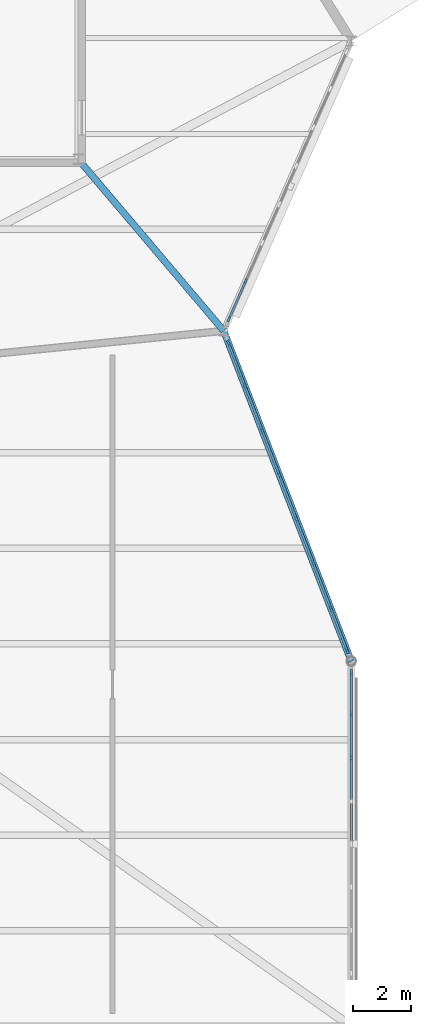
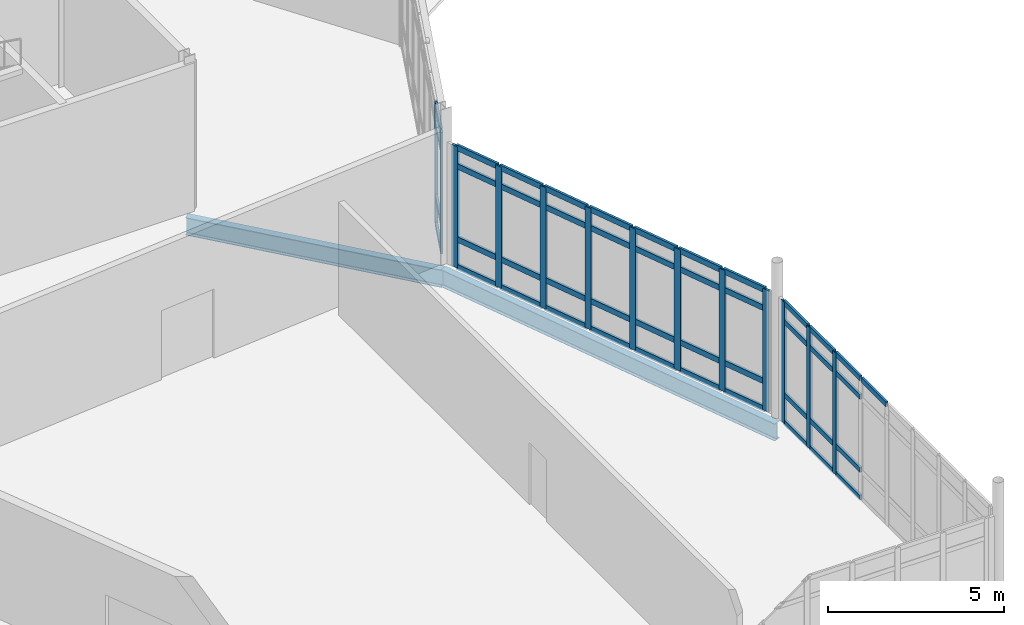
# One storey, part 57 of 113: 58 members, 2 beams, 3 elements without a shape of their own.
"""IFC4 building model written with IfcOpenShell, lengths in metres."""

from ifc_helpers import new_model, si_unit, direction, frame, origin, origin_2d, place, context, subcontext, project, spatial, rectangle, i_section, extrude, material, material_profile, profile_set, type_object, element, aggregate, save


model = new_model("IFC4")

# Units and contexts
model_context = context("Model", 3, precision=1e-05, world=origin(), true_north=direction((0.0, 1.0)))
body_context = subcontext(model_context, "Body", "Model", "MODEL_VIEW")
ifc_project = project(units=[si_unit("LENGTHUNIT", "METRE"), si_unit("AREAUNIT", "SQUARE_METRE"), si_unit("VOLUMEUNIT", "CUBIC_METRE"), si_unit("PLANEANGLEUNIT", "RADIAN"), si_unit("MASSUNIT", "GRAM", prefix="KILO")], contexts=[model_context])

# Site, building, storey
site_placement = place(None, origin())
site = spatial("IfcSite", under=ifc_project, at=site_placement, CompositionType="ELEMENT")
building_placement = place(site_placement, origin())
building = spatial("IfcBuilding", under=site, at=building_placement, Name="Tameran Prism Museum", CompositionType="ELEMENT")
storey_placement = place(building_placement, origin())
storey = spatial("IfcBuildingStorey", under=building, at=storey_placement, Name="L00", CompositionType="ELEMENT", Elevation=0.0)

# Beams
ifc_material_1 = material(Name="Steel Grade 300PLUS (300 MPa)", Category="steel")
ifc_material_profile_1 = material_profile(ifc_material_1, i_section(OverallWidth=0.22802734375, OverallDepth=0.60205078125, WebThickness=0.010498046875, FlangeThickness=0.014892578125, FilletRadius=0.013916015625, at=origin_2d()))
ifc_profile_set_1 = profile_set([ifc_material_profile_1])
beam_type_1 = type_object("IfcBeamType", Name="BM-SP610", PredefinedType="SPANDREL", material=ifc_profile_set_1)
beam_1_placement = place(storey_placement, frame((166.39990234375, 12.60009765625, -0.541015625), z_axis=(-0.360071323039, 0.932924778492, 0.0), x_axis=(-0.932924778492, -0.360071323039, 0.0)))
element("IfcBeam", 1, at=beam_1_placement, inside=storey, type_object=beam_type_1, Name="Perimeter Spandrel SP-0052", PredefinedType="SPANDREL", context=body_context, shape_type="SweptSolid", body=[
    extrude(i_section(OverallWidth=0.22802734375, OverallDepth=0.60205078125, WebThickness=0.010498046875, FlangeThickness=0.014892578125, FilletRadius=0.013916015625, at=origin_2d()), origin(), (0.0, 0.0, 1.0), 12.219482421875),
])
ifc_material_2 = material(Name="Steel Grade 300PLUS (300 MPa)", Category="steel")
ifc_material_profile_2 = material_profile(ifc_material_2, i_section(OverallWidth=0.22900390625, OverallDepth=0.612060546875, WebThickness=0.011962890625, FlangeThickness=0.01953125, FilletRadius=0.013916015625, at=origin_2d()))
ifc_profile_set_2 = profile_set([ifc_material_profile_2])
beam_type_2 = type_object("IfcBeamType", Name="BM-UB610A", PredefinedType="BEAM", material=ifc_profile_set_2)
beam_2_placement = place(storey_placement, frame((156.97998046875, 29.919921875, -0.56005859375), z_axis=(0.64675685698, -0.762696248811, 0.0), x_axis=(0.762696248811, 0.64675685698, 0.0)))
element("IfcBeam", 2, at=beam_2_placement, inside=storey, type_object=beam_type_2, Name="Frame Tie Girder FG-1433", PredefinedType="BEAM", context=body_context, shape_type="SweptSolid", body=[
    extrude(i_section(OverallWidth=0.22900390625, OverallDepth=0.612060546875, WebThickness=0.011962890625, FlangeThickness=0.01953125, FilletRadius=0.013916015625, at=origin_2d()), origin(), (0.0, 0.0, 1.0), 7.76171875),
])

# Curtain wall, members
ifc_material_3 = material(Name="Anodised Aluminium 6063-T6 and Cyclone Solar Glass", Category="aluminium")
curtain_wall_type_1 = type_object("IfcCurtainWallType", Name="CW-FAC-1190x422", PredefinedType="USERDEFINED", material=ifc_material_3)
curtain_wall_1_placement = place(storey_placement, origin())
curtain_wall_1 = element("IfcCurtainWall", 3, at=curtain_wall_1_placement, inside=storey, type_object=curtain_wall_type_1, Name="Unitised Curtain Wall CW-041", ObjectType="UNITISED CURTAIN WALL", PredefinedType="USERDEFINED")
ifc_material_4 = material(Name="Anodised Aluminium Alloy 6063-T6", Category="aluminium")
ifc_material_profile_3 = material_profile(ifc_material_4, rectangle(XDim=0.074951171875, YDim=0.199951171875, at=origin_2d()))
ifc_profile_set_3 = profile_set([ifc_material_profile_3])
member_type_1 = type_object("IfcMemberType", Name="CW-MUL-C", PredefinedType="MULLION", material=ifc_profile_set_3)
member_1_placement = place(storey_placement, frame((166.39990234375, 12.21240234375, 0.0), z_axis=(0.0, 0.0, 1.0), x_axis=(1.0, 0.0, 0.0)))
member_1 = element("IfcMember", 4, at=member_1_placement, type_object=member_type_1, Name="CW-041 mullion 1", PredefinedType="MULLION", context=body_context, shape_type="SweptSolid", body=[
    extrude(rectangle(XDim=0.074951171875, YDim=0.199951171875, at=origin_2d()), origin(), (0.0, 0.0, 1.0), 4.219970703125),
])
member_2_placement = place(storey_placement, frame((166.39990234375, 10.762451171875, 0.0), z_axis=(0.0, 0.0, 1.0), x_axis=(1.0, 0.0, 0.0)))
member_2 = element("IfcMember", 5, at=member_2_placement, type_object=member_type_1, Name="CW-041 mullion 2", PredefinedType="MULLION", context=body_context, shape_type="SweptSolid", body=[
    extrude(rectangle(XDim=0.074951171875, YDim=0.199951171875, at=origin_2d()), origin(), (0.0, 0.0, 1.0), 4.219970703125),
])
member_3_placement = place(storey_placement, frame((166.39990234375, 9.27490234375, 0.0), z_axis=(0.0, 0.0, 1.0), x_axis=(1.0, 0.0, 0.0)))
member_3 = element("IfcMember", 6, at=member_3_placement, type_object=member_type_1, Name="CW-041 mullion 3", PredefinedType="MULLION", context=body_context, shape_type="SweptSolid", body=[
    extrude(rectangle(XDim=0.074951171875, YDim=0.199951171875, at=origin_2d()), origin(), (0.0, 0.0, 1.0), 4.219970703125),
])

ifc_material_5 = material(Name="Anodised Aluminium 6063-T6 and Cyclone Solar Glass", Category="aluminium")
curtain_wall_type_2 = type_object("IfcCurtainWallType", Name="CW-FAC-1016x422", PredefinedType="USERDEFINED", material=ifc_material_5)
curtain_wall_2_placement = place(storey_placement, origin())
curtain_wall_2 = element("IfcCurtainWall", 7, at=curtain_wall_2_placement, inside=storey, type_object=curtain_wall_type_2, Name="Unitised Curtain Wall CW-053", ObjectType="UNITISED CURTAIN WALL", PredefinedType="USERDEFINED")
member_4_placement = place(storey_placement, frame((162.749755859375, 25.704345703125, 0.0), z_axis=(0.0, 0.0, 1.0), x_axis=(0.915322284668, -0.402722131488, 0.0)))
member_4 = element("IfcMember", 8, at=member_4_placement, type_object=member_type_1, Name="CW-053 mullion 7", PredefinedType="MULLION", context=body_context, shape_type="SweptSolid", body=[
    extrude(rectangle(XDim=0.074951171875, YDim=0.199951171875, at=origin_2d()), origin(), (0.0, 0.0, 1.0), 4.219970703125),
])
member_5_placement = place(storey_placement, frame((162.18017578125, 24.409423828125, 0.0), z_axis=(0.0, 0.0, 1.0), x_axis=(0.915322284668, -0.402722131488, 0.0)))
member_5 = element("IfcMember", 9, at=member_5_placement, type_object=member_type_1, Name="CW-053 mullion 8", PredefinedType="MULLION", context=body_context, shape_type="SweptSolid", body=[
    extrude(rectangle(XDim=0.074951171875, YDim=0.199951171875, at=origin_2d()), origin(), (0.0, 0.0, 1.0), 4.219970703125),
])

ifc_material_6 = material(Name="Anodised Aluminium 6063-T6 and Cyclone Solar Glass", Category="aluminium")
curtain_wall_type_3 = type_object("IfcCurtainWallType", Name="CW-FAC-1146x422", PredefinedType="USERDEFINED", material=ifc_material_6)
curtain_wall_3_placement = place(storey_placement, origin())
curtain_wall_3 = element("IfcCurtainWall", 10, at=curtain_wall_3_placement, inside=storey, type_object=curtain_wall_type_3, Name="Unitised Curtain Wall CW-042", ObjectType="UNITISED CURTAIN WALL", PredefinedType="USERDEFINED")
ifc_material_7 = material(Name="Anodised Aluminium Alloy 6063-T6", Category="aluminium")
ifc_material_profile_4 = material_profile(ifc_material_7, rectangle(XDim=0.080078125, YDim=0.219970703125, at=origin_2d()))
ifc_profile_set_4 = profile_set([ifc_material_profile_4])
member_type_2 = type_object("IfcMemberType", Name="CW-MUL-D", PredefinedType="MULLION", material=ifc_profile_set_4)
member_6_placement = place(storey_placement, frame((162.162353515625, 23.57958984375, 0.0), z_axis=(0.0, 0.0, 1.0), x_axis=(0.932922101403, 0.360078259151, 0.0)))
member_6 = element("IfcMember", 11, at=member_6_placement, type_object=member_type_2, Name="CW-042 mullion 1", PredefinedType="MULLION", context=body_context, shape_type="SweptSolid", body=[
    extrude(rectangle(XDim=0.080078125, YDim=0.219970703125, at=origin_2d()), origin(), (0.0, 0.0, 1.0), 4.219970703125),
])
member_7_placement = place(storey_placement, frame((162.737548828125, 22.08984375, 0.0), z_axis=(0.0, 0.0, 1.0), x_axis=(0.932922101403, 0.360078259151, 0.0)))
member_7 = element("IfcMember", 12, at=member_7_placement, type_object=member_type_2, Name="CW-042 mullion 2", PredefinedType="MULLION", context=body_context, shape_type="SweptSolid", body=[
    extrude(rectangle(XDim=0.080078125, YDim=0.219970703125, at=origin_2d()), origin(), (0.0, 0.0, 1.0), 4.219970703125),
])
member_8_placement = place(storey_placement, frame((163.326904296875, 20.562744140625, 0.0), z_axis=(0.0, 0.0, 1.0), x_axis=(0.932922101403, 0.360078259151, 0.0)))
member_8 = element("IfcMember", 13, at=member_8_placement, type_object=member_type_2, Name="CW-042 mullion 3", PredefinedType="MULLION", context=body_context, shape_type="SweptSolid", body=[
    extrude(rectangle(XDim=0.080078125, YDim=0.219970703125, at=origin_2d()), origin(), (0.0, 0.0, 1.0), 4.219970703125),
])
member_9_placement = place(storey_placement, frame((163.916259765625, 19.03564453125, 0.0), z_axis=(0.0, 0.0, 1.0), x_axis=(0.932922101403, 0.360078259151, 0.0)))
member_9 = element("IfcMember", 14, at=member_9_placement, type_object=member_type_2, Name="CW-042 mullion 4", PredefinedType="MULLION", context=body_context, shape_type="SweptSolid", body=[
    extrude(rectangle(XDim=0.080078125, YDim=0.219970703125, at=origin_2d()), origin(), (0.0, 0.0, 1.0), 4.219970703125),
])
member_10_placement = place(storey_placement, frame((164.505615234375, 17.508544921875, 0.0), z_axis=(0.0, 0.0, 1.0), x_axis=(0.932922101403, 0.360078259151, 0.0)))
member_10 = element("IfcMember", 15, at=member_10_placement, type_object=member_type_2, Name="CW-042 mullion 5", PredefinedType="MULLION", context=body_context, shape_type="SweptSolid", body=[
    extrude(rectangle(XDim=0.080078125, YDim=0.219970703125, at=origin_2d()), origin(), (0.0, 0.0, 1.0), 4.219970703125),
])
member_11_placement = place(storey_placement, frame((165.09521484375, 15.981201171875, 0.0), z_axis=(0.0, 0.0, 1.0), x_axis=(0.932922101403, 0.360078259151, 0.0)))
member_11 = element("IfcMember", 16, at=member_11_placement, type_object=member_type_2, Name="CW-042 mullion 6", PredefinedType="MULLION", context=body_context, shape_type="SweptSolid", body=[
    extrude(rectangle(XDim=0.080078125, YDim=0.219970703125, at=origin_2d()), origin(), (0.0, 0.0, 1.0), 4.219970703125),
])
member_12_placement = place(storey_placement, frame((165.6845703125, 14.4541015625, 0.0), z_axis=(0.0, 0.0, 1.0), x_axis=(0.932922101403, 0.360078259151, 0.0)))
member_12 = element("IfcMember", 17, at=member_12_placement, type_object=member_type_2, Name="CW-042 mullion 7", PredefinedType="MULLION", context=body_context, shape_type="SweptSolid", body=[
    extrude(rectangle(XDim=0.080078125, YDim=0.219970703125, at=origin_2d()), origin(), (0.0, 0.0, 1.0), 4.219970703125),
])
member_13_placement = place(storey_placement, frame((166.259521484375, 12.96435546875, 0.0), z_axis=(0.0, 0.0, 1.0), x_axis=(0.932922101403, 0.360078259151, 0.0)))
member_13 = element("IfcMember", 18, at=member_13_placement, type_object=member_type_2, Name="CW-042 mullion 8", PredefinedType="MULLION", context=body_context, shape_type="SweptSolid", body=[
    extrude(rectangle(XDim=0.080078125, YDim=0.219970703125, at=origin_2d()), origin(), (0.0, 0.0, 1.0), 4.219970703125),
])

# Member
ifc_material_8 = material(Name="Anodised Aluminium Alloy 6063-T6", Category="aluminium")
ifc_material_profile_5 = material_profile(ifc_material_8, rectangle(XDim=0.074951171875, YDim=0.175048828125, at=origin_2d()))
ifc_profile_set_5 = profile_set([ifc_material_profile_5])
member_type_3 = type_object("IfcMemberType", Name="CW-TRN-C", PredefinedType="USERDEFINED", material=ifc_profile_set_5)
member_14_placement = place(storey_placement, frame((166.39990234375, 12.175048828125, 0.03759765625), z_axis=(0.0, -1.0, 0.0), x_axis=(1.0, 0.0, 0.0)))
member_14 = element("IfcMember", 19, at=member_14_placement, type_object=member_type_3, Name="CW-041 transom 1.1", ObjectType="TRANSOM", PredefinedType="USERDEFINED", context=body_context, shape_type="SweptSolid", body=[
    extrude(rectangle(XDim=0.074951171875, YDim=0.175048828125, at=origin_2d()), origin(), (0.0, 0.0, 1.0), 1.375),
])

member_15_placement = place(storey_placement, frame((166.39990234375, 12.175048828125, 1.0), z_axis=(0.0, -1.0, 0.0), x_axis=(1.0, 0.0, 0.0)))
member_15 = element("IfcMember", 20, at=member_15_placement, type_object=member_type_3, Name="CW-041 transom 1.2", ObjectType="TRANSOM", PredefinedType="USERDEFINED", context=body_context, shape_type="SweptSolid", body=[
    extrude(rectangle(XDim=0.074951171875, YDim=0.175048828125, at=origin_2d()), origin(), (0.0, 0.0, 1.0), 1.375),
])

member_16_placement = place(storey_placement, frame((166.39990234375, 12.175048828125, 3.5400390625), z_axis=(0.0, -1.0, 0.0), x_axis=(1.0, 0.0, 0.0)))
member_16 = element("IfcMember", 21, at=member_16_placement, type_object=member_type_3, Name="CW-041 transom 1.3", ObjectType="TRANSOM", PredefinedType="USERDEFINED", context=body_context, shape_type="SweptSolid", body=[
    extrude(rectangle(XDim=0.074951171875, YDim=0.175048828125, at=origin_2d()), origin(), (0.0, 0.0, 1.0), 1.375),
])

member_17_placement = place(storey_placement, frame((166.39990234375, 12.175048828125, 4.1826171875), z_axis=(0.0, -1.0, 0.0), x_axis=(1.0, 0.0, 0.0)))
member_17 = element("IfcMember", 22, at=member_17_placement, type_object=member_type_3, Name="CW-041 transom 1.4", ObjectType="TRANSOM", PredefinedType="USERDEFINED", context=body_context, shape_type="SweptSolid", body=[
    extrude(rectangle(XDim=0.074951171875, YDim=0.175048828125, at=origin_2d()), origin(), (0.0, 0.0, 1.0), 1.375),
])

member_18_placement = place(storey_placement, frame((166.39990234375, 10.72509765625, 0.03759765625), z_axis=(0.0, -1.0, 0.0), x_axis=(1.0, 0.0, 0.0)))
member_18 = element("IfcMember", 23, at=member_18_placement, type_object=member_type_3, Name="CW-041 transom 2.1", ObjectType="TRANSOM", PredefinedType="USERDEFINED", context=body_context, shape_type="SweptSolid", body=[
    extrude(rectangle(XDim=0.074951171875, YDim=0.175048828125, at=origin_2d()), origin(), (0.0, 0.0, 1.0), 1.41259765625),
])

member_19_placement = place(storey_placement, frame((166.39990234375, 10.72509765625, 1.0), z_axis=(0.0, -1.0, 0.0), x_axis=(1.0, 0.0, 0.0)))
member_19 = element("IfcMember", 24, at=member_19_placement, type_object=member_type_3, Name="CW-041 transom 2.2", ObjectType="TRANSOM", PredefinedType="USERDEFINED", context=body_context, shape_type="SweptSolid", body=[
    extrude(rectangle(XDim=0.074951171875, YDim=0.175048828125, at=origin_2d()), origin(), (0.0, 0.0, 1.0), 1.41259765625),
])

member_20_placement = place(storey_placement, frame((166.39990234375, 10.72509765625, 3.5400390625), z_axis=(0.0, -1.0, 0.0), x_axis=(1.0, 0.0, 0.0)))
member_20 = element("IfcMember", 25, at=member_20_placement, type_object=member_type_3, Name="CW-041 transom 2.3", ObjectType="TRANSOM", PredefinedType="USERDEFINED", context=body_context, shape_type="SweptSolid", body=[
    extrude(rectangle(XDim=0.074951171875, YDim=0.175048828125, at=origin_2d()), origin(), (0.0, 0.0, 1.0), 1.41259765625),
])

member_21_placement = place(storey_placement, frame((166.39990234375, 10.72509765625, 4.1826171875), z_axis=(0.0, -1.0, 0.0), x_axis=(1.0, 0.0, 0.0)))
member_21 = element("IfcMember", 26, at=member_21_placement, type_object=member_type_3, Name="CW-041 transom 2.4", ObjectType="TRANSOM", PredefinedType="USERDEFINED", context=body_context, shape_type="SweptSolid", body=[
    extrude(rectangle(XDim=0.074951171875, YDim=0.175048828125, at=origin_2d()), origin(), (0.0, 0.0, 1.0), 1.41259765625),
])

member_22_placement = place(storey_placement, frame((166.39990234375, 9.237548828125, 0.03759765625), z_axis=(0.0, -1.0, 0.0), x_axis=(1.0, 0.0, 0.0)))
member_22 = element("IfcMember", 27, at=member_22_placement, type_object=member_type_3, Name="CW-041 transom 3.1", ObjectType="TRANSOM", PredefinedType="USERDEFINED", context=body_context, shape_type="SweptSolid", body=[
    extrude(rectangle(XDim=0.074951171875, YDim=0.175048828125, at=origin_2d()), origin(), (0.0, 0.0, 1.0), 1.41259765625),
])

member_23_placement = place(storey_placement, frame((166.39990234375, 9.237548828125, 1.0), z_axis=(0.0, -1.0, 0.0), x_axis=(1.0, 0.0, 0.0)))
member_23 = element("IfcMember", 28, at=member_23_placement, type_object=member_type_3, Name="CW-041 transom 3.2", ObjectType="TRANSOM", PredefinedType="USERDEFINED", context=body_context, shape_type="SweptSolid", body=[
    extrude(rectangle(XDim=0.074951171875, YDim=0.175048828125, at=origin_2d()), origin(), (0.0, 0.0, 1.0), 1.41259765625),
])

member_24_placement = place(storey_placement, frame((166.39990234375, 9.237548828125, 3.5400390625), z_axis=(0.0, -1.0, 0.0), x_axis=(1.0, 0.0, 0.0)))
member_24 = element("IfcMember", 29, at=member_24_placement, type_object=member_type_3, Name="CW-041 transom 3.3", ObjectType="TRANSOM", PredefinedType="USERDEFINED", context=body_context, shape_type="SweptSolid", body=[
    extrude(rectangle(XDim=0.074951171875, YDim=0.175048828125, at=origin_2d()), origin(), (0.0, 0.0, 1.0), 1.41259765625),
])

member_25_placement = place(storey_placement, frame((166.39990234375, 9.237548828125, 4.1826171875), z_axis=(0.0, -1.0, 0.0), x_axis=(1.0, 0.0, 0.0)))
member_25 = element("IfcMember", 30, at=member_25_placement, type_object=member_type_3, Name="CW-041 transom 3.4", ObjectType="TRANSOM", PredefinedType="USERDEFINED", context=body_context, shape_type="SweptSolid", body=[
    extrude(rectangle(XDim=0.074951171875, YDim=0.175048828125, at=origin_2d()), origin(), (0.0, 0.0, 1.0), 1.41259765625),
])

member_26_placement = place(storey_placement, frame((166.39990234375, 7.75, 4.1826171875), z_axis=(0.0, -1.0, 0.0), x_axis=(1.0, 0.0, 0.0)))
member_26 = element("IfcMember", 31, at=member_26_placement, type_object=member_type_3, Name="CW-041 transom 4.4", ObjectType="TRANSOM", PredefinedType="USERDEFINED", context=body_context, shape_type="SweptSolid", body=[
    extrude(rectangle(XDim=0.074951171875, YDim=0.175048828125, at=origin_2d()), origin(), (0.0, 0.0, 1.0), 1.41259765625),
])

aggregate(curtain_wall_1, [member_1, member_2, member_3, member_14, member_15, member_16, member_17, member_18, member_19, member_20, member_21, member_22, member_23, member_24, member_25, member_26])

member_27_placement = place(storey_placement, frame((162.73486328125, 25.669921875, 0.03759765625), z_axis=(-0.402720293839, -0.915323093192, 0.0), x_axis=(0.915323093192, -0.402720293839, 0.0)))
member_27 = element("IfcMember", 32, at=member_27_placement, type_object=member_type_3, Name="CW-053 transom 7.1", ObjectType="TRANSOM", PredefinedType="USERDEFINED", context=body_context, shape_type="SweptSolid", body=[
    extrude(rectangle(XDim=0.074951171875, YDim=0.175048828125, at=origin_2d()), origin(), (0.0, 0.0, 1.0), 1.33984375),
])

member_28_placement = place(storey_placement, frame((162.73486328125, 25.669921875, 1.0), z_axis=(-0.402720293839, -0.915323093192, 0.0), x_axis=(0.915323093192, -0.402720293839, 0.0)))
member_28 = element("IfcMember", 33, at=member_28_placement, type_object=member_type_3, Name="CW-053 transom 7.2", ObjectType="TRANSOM", PredefinedType="USERDEFINED", context=body_context, shape_type="SweptSolid", body=[
    extrude(rectangle(XDim=0.074951171875, YDim=0.175048828125, at=origin_2d()), origin(), (0.0, 0.0, 1.0), 1.33984375),
])

member_29_placement = place(storey_placement, frame((162.73486328125, 25.669921875, 3.5400390625), z_axis=(-0.402720293839, -0.915323093192, 0.0), x_axis=(0.915323093192, -0.402720293839, 0.0)))
member_29 = element("IfcMember", 34, at=member_29_placement, type_object=member_type_3, Name="CW-053 transom 7.3", ObjectType="TRANSOM", PredefinedType="USERDEFINED", context=body_context, shape_type="SweptSolid", body=[
    extrude(rectangle(XDim=0.074951171875, YDim=0.175048828125, at=origin_2d()), origin(), (0.0, 0.0, 1.0), 1.33984375),
])

member_30_placement = place(storey_placement, frame((162.73486328125, 25.669921875, 4.1826171875), z_axis=(-0.402720293839, -0.915323093192, 0.0), x_axis=(0.915323093192, -0.402720293839, 0.0)))
member_30 = element("IfcMember", 35, at=member_30_placement, type_object=member_type_3, Name="CW-053 transom 7.4", ObjectType="TRANSOM", PredefinedType="USERDEFINED", context=body_context, shape_type="SweptSolid", body=[
    extrude(rectangle(XDim=0.074951171875, YDim=0.175048828125, at=origin_2d()), origin(), (0.0, 0.0, 1.0), 1.33984375),
])

aggregate(curtain_wall_2, [member_4, member_5, member_27, member_28, member_29, member_30])

ifc_material_9 = material(Name="Anodised Aluminium Alloy 6063-T6", Category="aluminium")
ifc_material_profile_6 = material_profile(ifc_material_9, rectangle(XDim=0.080078125, YDim=0.195068359375, at=origin_2d()))
ifc_profile_set_6 = profile_set([ifc_material_profile_6])
member_type_4 = type_object("IfcMemberType", Name="CW-TRN-D", PredefinedType="USERDEFINED", material=ifc_profile_set_6)
member_31_placement = place(storey_placement, frame((162.1767578125, 23.54248046875, 0.0400390625), z_axis=(0.36015422404, -0.932892777819, 0.0), x_axis=(0.932892777819, 0.36015422404, 0.0)))
member_31 = element("IfcMember", 36, at=member_31_placement, type_object=member_type_4, Name="CW-042 transom 1.1", ObjectType="TRANSOM", PredefinedType="USERDEFINED", context=body_context, shape_type="SweptSolid", body=[
    extrude(rectangle(XDim=0.080078125, YDim=0.195068359375, at=origin_2d()), origin(), (0.0, 0.0, 1.0), 1.51708984375),
])

member_32_placement = place(storey_placement, frame((162.1767578125, 23.54248046875, 1.0), z_axis=(0.36015422404, -0.932892777819, 0.0), x_axis=(0.932892777819, 0.36015422404, 0.0)))
member_32 = element("IfcMember", 37, at=member_32_placement, type_object=member_type_4, Name="CW-042 transom 1.2", ObjectType="TRANSOM", PredefinedType="USERDEFINED", context=body_context, shape_type="SweptSolid", body=[
    extrude(rectangle(XDim=0.080078125, YDim=0.195068359375, at=origin_2d()), origin(), (0.0, 0.0, 1.0), 1.51708984375),
])

member_33_placement = place(storey_placement, frame((162.1767578125, 23.54248046875, 3.5400390625), z_axis=(0.36015422404, -0.932892777819, 0.0), x_axis=(0.932892777819, 0.36015422404, 0.0)))
member_33 = element("IfcMember", 38, at=member_33_placement, type_object=member_type_4, Name="CW-042 transom 1.3", ObjectType="TRANSOM", PredefinedType="USERDEFINED", context=body_context, shape_type="SweptSolid", body=[
    extrude(rectangle(XDim=0.080078125, YDim=0.195068359375, at=origin_2d()), origin(), (0.0, 0.0, 1.0), 1.51708984375),
])

member_34_placement = place(storey_placement, frame((162.1767578125, 23.54248046875, 4.179931640625), z_axis=(0.36015422404, -0.932892777819, 0.0), x_axis=(0.932892777819, 0.36015422404, 0.0)))
member_34 = element("IfcMember", 39, at=member_34_placement, type_object=member_type_4, Name="CW-042 transom 1.4", ObjectType="TRANSOM", PredefinedType="USERDEFINED", context=body_context, shape_type="SweptSolid", body=[
    extrude(rectangle(XDim=0.080078125, YDim=0.195068359375, at=origin_2d()), origin(), (0.0, 0.0, 1.0), 1.51708984375),
])

member_35_placement = place(storey_placement, frame((162.751953125, 22.052490234375, 0.0400390625), z_axis=(0.360061226794, -0.932928675173, 0.0), x_axis=(0.932928675173, 0.360061226794, 0.0)))
member_35 = element("IfcMember", 40, at=member_35_placement, type_object=member_type_4, Name="CW-042 transom 2.1", ObjectType="TRANSOM", PredefinedType="USERDEFINED", context=body_context, shape_type="SweptSolid", body=[
    extrude(rectangle(XDim=0.080078125, YDim=0.195068359375, at=origin_2d()), origin(), (0.0, 0.0, 1.0), 1.556884765625),
])

member_36_placement = place(storey_placement, frame((162.751953125, 22.052490234375, 1.0), z_axis=(0.360061226794, -0.932928675173, 0.0), x_axis=(0.932928675173, 0.360061226794, 0.0)))
member_36 = element("IfcMember", 41, at=member_36_placement, type_object=member_type_4, Name="CW-042 transom 2.2", ObjectType="TRANSOM", PredefinedType="USERDEFINED", context=body_context, shape_type="SweptSolid", body=[
    extrude(rectangle(XDim=0.080078125, YDim=0.195068359375, at=origin_2d()), origin(), (0.0, 0.0, 1.0), 1.556884765625),
])

member_37_placement = place(storey_placement, frame((162.751953125, 22.052490234375, 3.5400390625), z_axis=(0.360061226794, -0.932928675173, 0.0), x_axis=(0.932928675173, 0.360061226794, 0.0)))
member_37 = element("IfcMember", 42, at=member_37_placement, type_object=member_type_4, Name="CW-042 transom 2.3", ObjectType="TRANSOM", PredefinedType="USERDEFINED", context=body_context, shape_type="SweptSolid", body=[
    extrude(rectangle(XDim=0.080078125, YDim=0.195068359375, at=origin_2d()), origin(), (0.0, 0.0, 1.0), 1.556884765625),
])

member_38_placement = place(storey_placement, frame((162.751953125, 22.052490234375, 4.179931640625), z_axis=(0.360061226794, -0.932928675173, 0.0), x_axis=(0.932928675173, 0.360061226794, 0.0)))
member_38 = element("IfcMember", 43, at=member_38_placement, type_object=member_type_4, Name="CW-042 transom 2.4", ObjectType="TRANSOM", PredefinedType="USERDEFINED", context=body_context, shape_type="SweptSolid", body=[
    extrude(rectangle(XDim=0.080078125, YDim=0.195068359375, at=origin_2d()), origin(), (0.0, 0.0, 1.0), 1.556884765625),
])

member_39_placement = place(storey_placement, frame((163.34130859375, 20.525390625, 0.0400390625), z_axis=(0.360061226794, -0.932928675173, 0.0), x_axis=(0.932928675173, 0.360061226794, 0.0)))
member_39 = element("IfcMember", 44, at=member_39_placement, type_object=member_type_4, Name="CW-042 transom 3.1", ObjectType="TRANSOM", PredefinedType="USERDEFINED", context=body_context, shape_type="SweptSolid", body=[
    extrude(rectangle(XDim=0.080078125, YDim=0.195068359375, at=origin_2d()), origin(), (0.0, 0.0, 1.0), 1.556884765625),
])

member_40_placement = place(storey_placement, frame((163.34130859375, 20.525390625, 1.0), z_axis=(0.360061226794, -0.932928675173, 0.0), x_axis=(0.932928675173, 0.360061226794, 0.0)))
member_40 = element("IfcMember", 45, at=member_40_placement, type_object=member_type_4, Name="CW-042 transom 3.2", ObjectType="TRANSOM", PredefinedType="USERDEFINED", context=body_context, shape_type="SweptSolid", body=[
    extrude(rectangle(XDim=0.080078125, YDim=0.195068359375, at=origin_2d()), origin(), (0.0, 0.0, 1.0), 1.556884765625),
])

member_41_placement = place(storey_placement, frame((163.34130859375, 20.525390625, 3.5400390625), z_axis=(0.360061226794, -0.932928675173, 0.0), x_axis=(0.932928675173, 0.360061226794, 0.0)))
member_41 = element("IfcMember", 46, at=member_41_placement, type_object=member_type_4, Name="CW-042 transom 3.3", ObjectType="TRANSOM", PredefinedType="USERDEFINED", context=body_context, shape_type="SweptSolid", body=[
    extrude(rectangle(XDim=0.080078125, YDim=0.195068359375, at=origin_2d()), origin(), (0.0, 0.0, 1.0), 1.556884765625),
])

member_42_placement = place(storey_placement, frame((163.34130859375, 20.525390625, 4.179931640625), z_axis=(0.360061226794, -0.932928675173, 0.0), x_axis=(0.932928675173, 0.360061226794, 0.0)))
member_42 = element("IfcMember", 47, at=member_42_placement, type_object=member_type_4, Name="CW-042 transom 3.4", ObjectType="TRANSOM", PredefinedType="USERDEFINED", context=body_context, shape_type="SweptSolid", body=[
    extrude(rectangle(XDim=0.080078125, YDim=0.195068359375, at=origin_2d()), origin(), (0.0, 0.0, 1.0), 1.556884765625),
])

member_43_placement = place(storey_placement, frame((163.9306640625, 18.998291015625, 0.0400390625), z_axis=(0.360008555927, -0.932949001639, 0.0), x_axis=(0.932949001639, 0.360008555927, 0.0)))
member_43 = element("IfcMember", 48, at=member_43_placement, type_object=member_type_4, Name="CW-042 transom 4.1", ObjectType="TRANSOM", PredefinedType="USERDEFINED", context=body_context, shape_type="SweptSolid", body=[
    extrude(rectangle(XDim=0.080078125, YDim=0.195068359375, at=origin_2d()), origin(), (0.0, 0.0, 1.0), 1.55712890625),
])

member_44_placement = place(storey_placement, frame((163.9306640625, 18.998291015625, 1.0), z_axis=(0.360008555927, -0.932949001639, 0.0), x_axis=(0.932949001639, 0.360008555927, 0.0)))
member_44 = element("IfcMember", 49, at=member_44_placement, type_object=member_type_4, Name="CW-042 transom 4.2", ObjectType="TRANSOM", PredefinedType="USERDEFINED", context=body_context, shape_type="SweptSolid", body=[
    extrude(rectangle(XDim=0.080078125, YDim=0.195068359375, at=origin_2d()), origin(), (0.0, 0.0, 1.0), 1.55712890625),
])

member_45_placement = place(storey_placement, frame((163.9306640625, 18.998291015625, 3.5400390625), z_axis=(0.360008555927, -0.932949001639, 0.0), x_axis=(0.932949001639, 0.360008555927, 0.0)))
member_45 = element("IfcMember", 50, at=member_45_placement, type_object=member_type_4, Name="CW-042 transom 4.3", ObjectType="TRANSOM", PredefinedType="USERDEFINED", context=body_context, shape_type="SweptSolid", body=[
    extrude(rectangle(XDim=0.080078125, YDim=0.195068359375, at=origin_2d()), origin(), (0.0, 0.0, 1.0), 1.55712890625),
])

member_46_placement = place(storey_placement, frame((163.9306640625, 18.998291015625, 4.179931640625), z_axis=(0.360008555927, -0.932949001639, 0.0), x_axis=(0.932949001639, 0.360008555927, 0.0)))
member_46 = element("IfcMember", 51, at=member_46_placement, type_object=member_type_4, Name="CW-042 transom 4.4", ObjectType="TRANSOM", PredefinedType="USERDEFINED", context=body_context, shape_type="SweptSolid", body=[
    extrude(rectangle(XDim=0.080078125, YDim=0.195068359375, at=origin_2d()), origin(), (0.0, 0.0, 1.0), 1.55712890625),
])

member_47_placement = place(storey_placement, frame((164.52001953125, 17.47119140625, 0.0400390625), z_axis=(0.360145020515, -0.932896330895, 0.0), x_axis=(0.932896330895, 0.360145020515, 0.0)))
member_47 = element("IfcMember", 52, at=member_47_placement, type_object=member_type_4, Name="CW-042 transom 5.1", ObjectType="TRANSOM", PredefinedType="USERDEFINED", context=body_context, shape_type="SweptSolid", body=[
    extrude(rectangle(XDim=0.080078125, YDim=0.195068359375, at=origin_2d()), origin(), (0.0, 0.0, 1.0), 1.55712890625),
])

member_48_placement = place(storey_placement, frame((164.52001953125, 17.47119140625, 1.0), z_axis=(0.360145020515, -0.932896330895, 0.0), x_axis=(0.932896330895, 0.360145020515, 0.0)))
member_48 = element("IfcMember", 53, at=member_48_placement, type_object=member_type_4, Name="CW-042 transom 5.2", ObjectType="TRANSOM", PredefinedType="USERDEFINED", context=body_context, shape_type="SweptSolid", body=[
    extrude(rectangle(XDim=0.080078125, YDim=0.195068359375, at=origin_2d()), origin(), (0.0, 0.0, 1.0), 1.55712890625),
])

member_49_placement = place(storey_placement, frame((164.52001953125, 17.47119140625, 3.5400390625), z_axis=(0.360145020515, -0.932896330895, 0.0), x_axis=(0.932896330895, 0.360145020515, 0.0)))
member_49 = element("IfcMember", 54, at=member_49_placement, type_object=member_type_4, Name="CW-042 transom 5.3", ObjectType="TRANSOM", PredefinedType="USERDEFINED", context=body_context, shape_type="SweptSolid", body=[
    extrude(rectangle(XDim=0.080078125, YDim=0.195068359375, at=origin_2d()), origin(), (0.0, 0.0, 1.0), 1.55712890625),
])

member_50_placement = place(storey_placement, frame((164.52001953125, 17.47119140625, 4.179931640625), z_axis=(0.360145020515, -0.932896330895, 0.0), x_axis=(0.932896330895, 0.360145020515, 0.0)))
member_50 = element("IfcMember", 55, at=member_50_placement, type_object=member_type_4, Name="CW-042 transom 5.4", ObjectType="TRANSOM", PredefinedType="USERDEFINED", context=body_context, shape_type="SweptSolid", body=[
    extrude(rectangle(XDim=0.080078125, YDim=0.195068359375, at=origin_2d()), origin(), (0.0, 0.0, 1.0), 1.55712890625),
])

member_51_placement = place(storey_placement, frame((165.109619140625, 15.94384765625, 0.0400390625), z_axis=(0.360061226794, -0.932928675173, 0.0), x_axis=(0.932928675173, 0.360061226794, 0.0)))
member_51 = element("IfcMember", 56, at=member_51_placement, type_object=member_type_4, Name="CW-042 transom 6.1", ObjectType="TRANSOM", PredefinedType="USERDEFINED", context=body_context, shape_type="SweptSolid", body=[
    extrude(rectangle(XDim=0.080078125, YDim=0.195068359375, at=origin_2d()), origin(), (0.0, 0.0, 1.0), 1.556884765625),
])

member_52_placement = place(storey_placement, frame((165.109619140625, 15.94384765625, 1.0), z_axis=(0.360061226794, -0.932928675173, 0.0), x_axis=(0.932928675173, 0.360061226794, 0.0)))
member_52 = element("IfcMember", 57, at=member_52_placement, type_object=member_type_4, Name="CW-042 transom 6.2", ObjectType="TRANSOM", PredefinedType="USERDEFINED", context=body_context, shape_type="SweptSolid", body=[
    extrude(rectangle(XDim=0.080078125, YDim=0.195068359375, at=origin_2d()), origin(), (0.0, 0.0, 1.0), 1.556884765625),
])

member_53_placement = place(storey_placement, frame((165.109619140625, 15.94384765625, 3.5400390625), z_axis=(0.360061226794, -0.932928675173, 0.0), x_axis=(0.932928675173, 0.360061226794, 0.0)))
member_53 = element("IfcMember", 58, at=member_53_placement, type_object=member_type_4, Name="CW-042 transom 6.3", ObjectType="TRANSOM", PredefinedType="USERDEFINED", context=body_context, shape_type="SweptSolid", body=[
    extrude(rectangle(XDim=0.080078125, YDim=0.195068359375, at=origin_2d()), origin(), (0.0, 0.0, 1.0), 1.556884765625),
])

member_54_placement = place(storey_placement, frame((165.109619140625, 15.94384765625, 4.179931640625), z_axis=(0.360061226794, -0.932928675173, 0.0), x_axis=(0.932928675173, 0.360061226794, 0.0)))
member_54 = element("IfcMember", 59, at=member_54_placement, type_object=member_type_4, Name="CW-042 transom 6.4", ObjectType="TRANSOM", PredefinedType="USERDEFINED", context=body_context, shape_type="SweptSolid", body=[
    extrude(rectangle(XDim=0.080078125, YDim=0.195068359375, at=origin_2d()), origin(), (0.0, 0.0, 1.0), 1.556884765625),
])

member_55_placement = place(storey_placement, frame((165.698974609375, 14.416748046875, 0.0400390625), z_axis=(0.360068220825, -0.932925975816, 0.0), x_axis=(0.932925975816, 0.360068220825, 0.0)))
member_55 = element("IfcMember", 60, at=member_55_placement, type_object=member_type_4, Name="CW-042 transom 7.1", ObjectType="TRANSOM", PredefinedType="USERDEFINED", context=body_context, shape_type="SweptSolid", body=[
    extrude(rectangle(XDim=0.080078125, YDim=0.195068359375, at=origin_2d()), origin(), (0.0, 0.0, 1.0), 1.516845703125),
])

member_56_placement = place(storey_placement, frame((165.698974609375, 14.416748046875, 1.0), z_axis=(0.360068220825, -0.932925975816, 0.0), x_axis=(0.932925975816, 0.360068220825, 0.0)))
member_56 = element("IfcMember", 61, at=member_56_placement, type_object=member_type_4, Name="CW-042 transom 7.2", ObjectType="TRANSOM", PredefinedType="USERDEFINED", context=body_context, shape_type="SweptSolid", body=[
    extrude(rectangle(XDim=0.080078125, YDim=0.195068359375, at=origin_2d()), origin(), (0.0, 0.0, 1.0), 1.516845703125),
])

member_57_placement = place(storey_placement, frame((165.698974609375, 14.416748046875, 3.5400390625), z_axis=(0.360068220825, -0.932925975816, 0.0), x_axis=(0.932925975816, 0.360068220825, 0.0)))
member_57 = element("IfcMember", 62, at=member_57_placement, type_object=member_type_4, Name="CW-042 transom 7.3", ObjectType="TRANSOM", PredefinedType="USERDEFINED", context=body_context, shape_type="SweptSolid", body=[
    extrude(rectangle(XDim=0.080078125, YDim=0.195068359375, at=origin_2d()), origin(), (0.0, 0.0, 1.0), 1.516845703125),
])

member_58_placement = place(storey_placement, frame((165.698974609375, 14.416748046875, 4.179931640625), z_axis=(0.360068220825, -0.932925975816, 0.0), x_axis=(0.932925975816, 0.360068220825, 0.0)))
member_58 = element("IfcMember", 63, at=member_58_placement, type_object=member_type_4, Name="CW-042 transom 7.4", ObjectType="TRANSOM", PredefinedType="USERDEFINED", context=body_context, shape_type="SweptSolid", body=[
    extrude(rectangle(XDim=0.080078125, YDim=0.195068359375, at=origin_2d()), origin(), (0.0, 0.0, 1.0), 1.516845703125),
])

aggregate(curtain_wall_3, [member_6, member_7, member_8, member_9, member_10, member_11, member_12, member_13, member_31, member_32, member_33, member_34, member_35, member_36, member_37, member_38, member_39, member_40, member_41, member_42, member_43, member_44, member_45, member_46, member_47, member_48, member_49, member_50, member_51, member_52, member_53, member_54, member_55, member_56, member_57, member_58])

save(model, "model.ifc")
